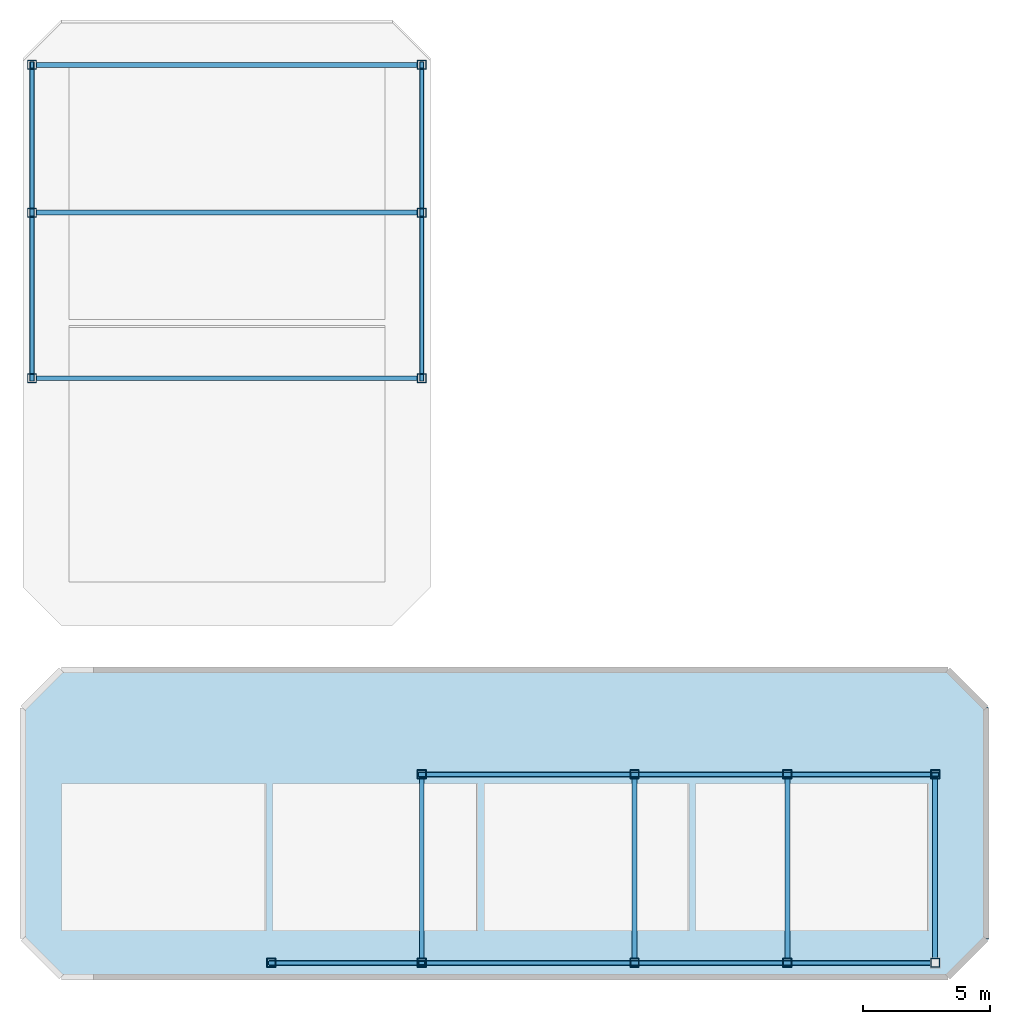
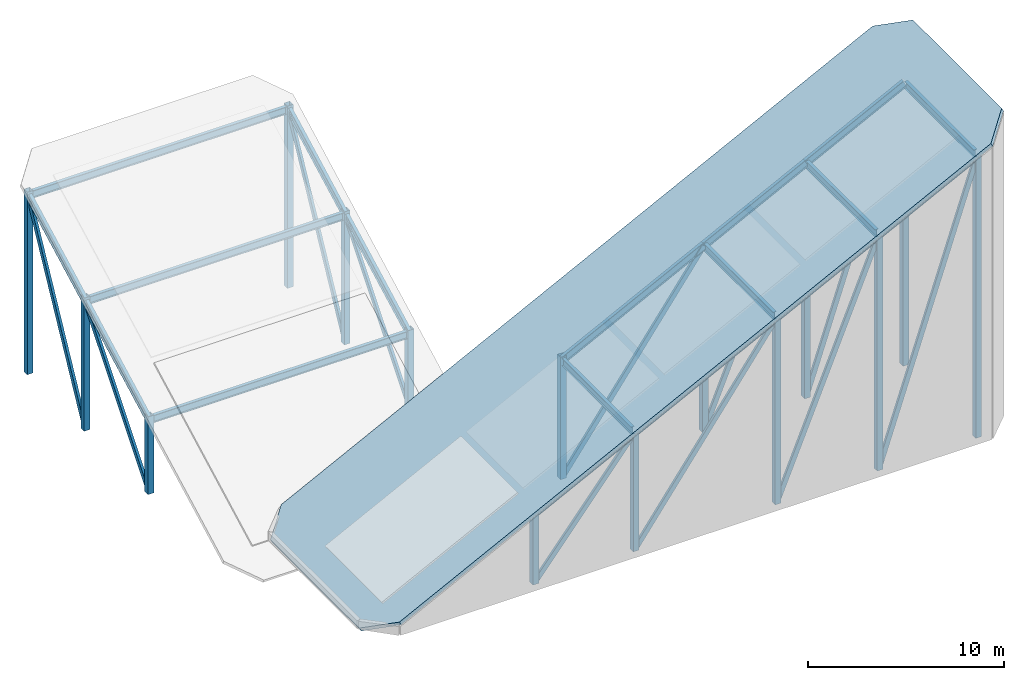
# One storey, part 1 of 3: 26 members, 18 beams, 1 slab.
"""IFC4 building model written with IfcOpenShell, lengths in metres."""

from ifc_helpers import new_model, si_unit, direction, frame, origin, origin_2d, place, context, subcontext, project, spatial, polyline, hollow_rectangle, i_section, outline, extrude, material, layer, layer_set, material_profile, profile_set, type_object, element, save


model = new_model("IFC4")

# Units and contexts
model_context = context("Model", 3, precision=1e-05, world=origin(), true_north=direction((0.0, 1.0)))
body_context = subcontext(model_context, "Body", "Model", "MODEL_VIEW")
ifc_project = project(units=[si_unit("LENGTHUNIT", "METRE"), si_unit("AREAUNIT", "SQUARE_METRE"), si_unit("VOLUMEUNIT", "CUBIC_METRE"), si_unit("PLANEANGLEUNIT", "RADIAN"), si_unit("MASSUNIT", "GRAM", prefix="KILO")], contexts=[model_context])

# Site, building, storey
site_placement = place(None, origin())
site = spatial("IfcSite", under=ifc_project, at=site_placement, CompositionType="ELEMENT")
building_placement = place(site_placement, origin())
building = spatial("IfcBuilding", under=site, at=building_placement, Name="Mawjaban Terraces University", CompositionType="ELEMENT")
storey_placement = place(building_placement, frame((0.0, 0.0, 326.699951171875)))
storey = spatial("IfcBuildingStorey", under=building, at=storey_placement, Name="ROOF", CompositionType="ELEMENT", Elevation=326.699951171875)

# Beams
ifc_material_1 = material(Name="Steel ASTM A572 Grade 50", Category="steel")
ifc_material_profile_1 = material_profile(ifc_material_1, i_section(OverallWidth=0.194091796875, OverallDepth=0.468994140625, WebThickness=0.011474609375, FlangeThickness=0.0205078125, at=origin_2d()), Name="W460X106")
ifc_profile_set_1 = profile_set([ifc_material_profile_1], Name="Steel ASTM A572 Grade 50")
beam_type = type_object("IfcBeamType", Name="Beam_CFR_W460X106", PredefinedType="BEAM", material=ifc_profile_set_1)
beam_1_placement = place(storey_placement, frame((31.75, 0.550048828125, 4.30712890625), z_axis=(0.892543080529, 0.0, 0.450962137435), x_axis=(0.0, 1.0, 0.0)))
element("IfcBeam", 1, at=beam_1_placement, inside=storey, type_object=beam_type, Name="East Crown Sloped Rafter 37.6-0.6", PredefinedType="BEAM", context=body_context, shape_type="SweptSolid", body=[
    extrude(i_section(OverallWidth=0.194091796875, OverallDepth=0.468994140625, WebThickness=0.011474609375, FlangeThickness=0.0205078125, at=origin_2d()), origin(), (0.0, 0.0, 1.0), 6.610107421875),
])
beam_2_placement = place(storey_placement, frame((37.64990234375, 0.550048828125, 7.2880859375), z_axis=(0.892540374375, 0.0, 0.450967493409), x_axis=(0.0, 1.0, 0.0)))
element("IfcBeam", 2, at=beam_2_placement, inside=storey, type_object=beam_type, Name="East Crown Sloped Rafter 46.0-0.6", PredefinedType="BEAM", context=body_context, shape_type="SweptSolid", body=[
    extrude(i_section(OverallWidth=0.194091796875, OverallDepth=0.468994140625, WebThickness=0.011474609375, FlangeThickness=0.0205078125, at=origin_2d()), origin(), (0.0, 0.0, 1.0), 9.35546875),
])
beam_3_placement = place(storey_placement, frame((46.0, 0.550048828125, 11.507080078125), z_axis=(0.892516104905, 0.0, 0.451015523552), x_axis=(0.0, 1.0, 0.0)))
element("IfcBeam", 3, at=beam_3_placement, inside=storey, type_object=beam_type, Name="East Crown Sloped Rafter 52.0-0.6", PredefinedType="BEAM", context=body_context, shape_type="SweptSolid", body=[
    extrude(i_section(OverallWidth=0.194091796875, OverallDepth=0.468994140625, WebThickness=0.011474609375, FlangeThickness=0.0205078125, at=origin_2d()), origin(), (0.0, 0.0, 1.0), 6.72265625),
])
beam_4_placement = place(storey_placement, frame((52.0, 0.550048828125, 14.5390625), z_axis=(0.892578624375, 0.0, 0.450891782259), x_axis=(0.0, 1.0, 0.0)))
element("IfcBeam", 4, at=beam_4_placement, inside=storey, type_object=beam_type, Name="East Crown Sloped Rafter 57.8-0.6", PredefinedType="BEAM", context=body_context, shape_type="SweptSolid", body=[
    extrude(i_section(OverallWidth=0.194091796875, OverallDepth=0.468994140625, WebThickness=0.011474609375, FlangeThickness=0.0205078125, at=origin_2d()), origin(), (0.0, 0.0, 1.0), 6.498046875),
])
beam_5_placement = place(storey_placement, frame((37.64990234375, 7.949951171875, 7.2880859375), z_axis=(0.892540374375, 0.0, 0.450967493409), x_axis=(0.0, 1.0, 0.0)))
element("IfcBeam", 5, at=beam_5_placement, inside=storey, type_object=beam_type, Name="East Crown Sloped Rafter 46.0-8.0", PredefinedType="BEAM", context=body_context, shape_type="SweptSolid", body=[
    extrude(i_section(OverallWidth=0.194091796875, OverallDepth=0.468994140625, WebThickness=0.011474609375, FlangeThickness=0.0205078125, at=origin_2d()), origin(), (0.0, 0.0, 1.0), 9.35546875),
])
beam_6_placement = place(storey_placement, frame((46.0, 7.949951171875, 11.507080078125), z_axis=(0.892516104905, 0.0, 0.451015523552), x_axis=(0.0, 1.0, 0.0)))
element("IfcBeam", 6, at=beam_6_placement, inside=storey, type_object=beam_type, Name="East Crown Sloped Rafter 52.0-8.0", PredefinedType="BEAM", context=body_context, shape_type="SweptSolid", body=[
    extrude(i_section(OverallWidth=0.194091796875, OverallDepth=0.468994140625, WebThickness=0.011474609375, FlangeThickness=0.0205078125, at=origin_2d()), origin(), (0.0, 0.0, 1.0), 6.72265625),
])
beam_7_placement = place(storey_placement, frame((52.0, 7.949951171875, 14.5390625), z_axis=(0.892578624375, 0.0, 0.450891782259), x_axis=(0.0, 1.0, 0.0)))
element("IfcBeam", 7, at=beam_7_placement, inside=storey, type_object=beam_type, Name="East Crown Sloped Rafter 57.8-8.0", PredefinedType="BEAM", context=body_context, shape_type="SweptSolid", body=[
    extrude(i_section(OverallWidth=0.194091796875, OverallDepth=0.468994140625, WebThickness=0.011474609375, FlangeThickness=0.0205078125, at=origin_2d()), origin(), (0.0, 0.0, 1.0), 6.498046875),
])
for number, where, z_axis, x_axis, name in (
    (8, (37.64990234375, 0.719970703125, 7.2880859375), (0.0, 1.0, 0.0), (-1.0, 0.0, 0.0), "East Crown Ring Cap Beam 37.6"),
    (9, (46.0, 0.719970703125, 11.507080078125), (0.0, 1.0, 0.0), (-1.0, 0.0, 0.0), "East Crown Ring Cap Beam 46.0"),
    (10, (52.0, 0.719970703125, 14.5390625), (0.0, 1.0, 0.0), (-1.0, 0.0, 0.0), "East Crown Ring Cap Beam 52.0"),
    (11, (57.800048828125, 0.719970703125, 17.468994140625), (0.0, 1.0, 0.0), (-1.0, 0.0, 0.0), "East Crown Ring Cap Beam 57.8"),
):
    element("IfcBeam", number, at=place(storey_placement, frame(where, z_axis=z_axis, x_axis=x_axis)), inside=storey, type_object=beam_type, Name=name, PredefinedType="BEAM", context=body_context, shape_type="SweptSolid", body=[
        extrude(i_section(OverallWidth=0.194091796875, OverallDepth=0.468994140625, WebThickness=0.011474609375, FlangeThickness=0.0205078125, at=origin_2d()), origin(), (0.0, 0.0, 1.0), 7.06005859375),
    ])
beam_8_placement = place(storey_placement, frame((22.35009765625, 23.5, -0.487060546875), z_axis=(0.0, 0.88389852611, 0.467678731119), x_axis=(-1.0, 0.0, 0.0)))
element("IfcBeam", 12, at=beam_8_placement, inside=storey, type_object=beam_type, Name="North Crown Sloped Rafter 22.4-30.0", PredefinedType="BEAM", context=body_context, shape_type="SweptSolid", body=[
    extrude(i_section(OverallWidth=0.194091796875, OverallDepth=0.468994140625, WebThickness=0.011474609375, FlangeThickness=0.0205078125, at=origin_2d()), origin(), (0.0, 0.0, 1.0), 7.353759765625),
])
beam_9_placement = place(storey_placement, frame((22.35009765625, 30.0, 2.9521484375), z_axis=(0.0, 0.883837683266, 0.467793704146), x_axis=(-1.0, 0.0, 0.0)))
element("IfcBeam", 13, at=beam_9_placement, inside=storey, type_object=beam_type, Name="North Crown Sloped Rafter 22.4-35.8", PredefinedType="BEAM", context=body_context, shape_type="SweptSolid", body=[
    extrude(i_section(OverallWidth=0.194091796875, OverallDepth=0.468994140625, WebThickness=0.011474609375, FlangeThickness=0.0205078125, at=origin_2d()), origin(), (0.0, 0.0, 1.0), 6.562255859375),
])
beam_10_placement = place(storey_placement, frame((37.64990234375, 23.5, -0.487060546875), z_axis=(0.0, 0.88389852611, 0.467678731119), x_axis=(-1.0, 0.0, 0.0)))
element("IfcBeam", 14, at=beam_10_placement, inside=storey, type_object=beam_type, Name="North Crown Sloped Rafter 37.6-30.0", PredefinedType="BEAM", context=body_context, shape_type="SweptSolid", body=[
    extrude(i_section(OverallWidth=0.194091796875, OverallDepth=0.468994140625, WebThickness=0.011474609375, FlangeThickness=0.0205078125, at=origin_2d()), origin(), (0.0, 0.0, 1.0), 7.353759765625),
])
beam_11_placement = place(storey_placement, frame((37.64990234375, 30.0, 2.9521484375), z_axis=(0.0, 0.883837683266, 0.467793704146), x_axis=(-1.0, 0.0, 0.0)))
element("IfcBeam", 15, at=beam_11_placement, inside=storey, type_object=beam_type, Name="North Crown Sloped Rafter 37.6-35.8", PredefinedType="BEAM", context=body_context, shape_type="SweptSolid", body=[
    extrude(i_section(OverallWidth=0.194091796875, OverallDepth=0.468994140625, WebThickness=0.011474609375, FlangeThickness=0.0205078125, at=origin_2d()), origin(), (0.0, 0.0, 1.0), 6.562255859375),
])
for number, where, z_axis, x_axis, name in (
    (16, (22.52001953125, 23.5, -0.487060546875), (1.0, 0.0, 0.0), (0.0, 1.0, 0.0), "North Crown Ring Cap Beam 23.5"),
    (17, (22.52001953125, 30.0, 2.9521484375), (1.0, 0.0, 0.0), (0.0, 1.0, 0.0), "North Crown Ring Cap Beam 30.0"),
    (18, (22.52001953125, 35.800048828125, 6.02197265625), (1.0, 0.0, 0.0), (0.0, 1.0, 0.0), "North Crown Ring Cap Beam 35.8"),
):
    element("IfcBeam", number, at=place(storey_placement, frame(where, z_axis=z_axis, x_axis=x_axis)), inside=storey, type_object=beam_type, Name=name, PredefinedType="BEAM", context=body_context, shape_type="SweptSolid", body=[
        extrude(i_section(OverallWidth=0.194091796875, OverallDepth=0.468994140625, WebThickness=0.011474609375, FlangeThickness=0.0205078125, at=origin_2d()), origin(), (0.0, 0.0, 1.0), 14.9599609375),
    ])

# Members
ifc_material_2 = material(Name="Steel EN 10210-1 S355J2H", Category="steel")
ifc_material_profile_2 = material_profile(ifc_material_2, hollow_rectangle(XDim=0.14990234375, YDim=0.300048828125, WallThickness=0.012451171875, at=origin_2d()), Name="RHS300X150X12.5")
ifc_profile_set_2 = profile_set([ifc_material_profile_2], Name="Steel EN 10210-1 S355J2H")
member_type_1 = type_object("IfcMemberType", Name="Mem_BRACE_RHS300X150X12.5", PredefinedType="BRACE", material=ifc_profile_set_2)
member_1_placement = place(storey_placement, frame((31.75, 0.550048828125, 0.0), z_axis=(0.629199726661, 0.0, 0.777243658044), x_axis=(0.0, 1.0, 0.0)))
element("IfcMember", 19, at=member_1_placement, inside=storey, type_object=member_type_1, Name="East Crown Frame Brace 37.6-0.6", PredefinedType="BRACE", context=body_context, shape_type="SweptSolid", body=[
    extrude(hollow_rectangle(XDim=0.14990234375, YDim=0.300048828125, WallThickness=0.012451171875, at=origin_2d()), origin(), (0.0, 0.0, 1.0), 9.376953125),
])
member_2_placement = place(storey_placement, frame((37.64990234375, 0.550048828125, 0.0), z_axis=(0.587311658936, 0.0, 0.809360868388), x_axis=(0.0, 1.0, 0.0)))
element("IfcMember", 20, at=member_2_placement, inside=storey, type_object=member_type_1, Name="East Crown Frame Brace 46.0-0.6", PredefinedType="BRACE", context=body_context, shape_type="SweptSolid", body=[
    extrude(hollow_rectangle(XDim=0.14990234375, YDim=0.300048828125, WallThickness=0.012451171875, at=origin_2d()), origin(), (0.0, 0.0, 1.0), 14.217529296875),
])
member_3_placement = place(storey_placement, frame((46.0, 0.550048828125, 0.0), z_axis=(0.381474181311, 0.0, 0.924379494035), x_axis=(0.0, 1.0, 0.0)))
element("IfcMember", 21, at=member_3_placement, inside=storey, type_object=member_type_1, Name="East Crown Frame Brace 52.0-0.6", PredefinedType="BRACE", context=body_context, shape_type="SweptSolid", body=[
    extrude(hollow_rectangle(XDim=0.14990234375, YDim=0.300048828125, WallThickness=0.012451171875, at=origin_2d()), origin(), (0.0, 0.0, 1.0), 15.728515625),
])
member_4_placement = place(storey_placement, frame((52.0, 0.550048828125, 0.0), z_axis=(0.315105436802, 0.0, 0.949056670435), x_axis=(0.0, 1.0, 0.0)))
element("IfcMember", 22, at=member_4_placement, inside=storey, type_object=member_type_1, Name="East Crown Frame Brace 57.8-0.6", PredefinedType="BRACE", context=body_context, shape_type="SweptSolid", body=[
    extrude(hollow_rectangle(XDim=0.14990234375, YDim=0.300048828125, WallThickness=0.012451171875, at=origin_2d()), origin(), (0.0, 0.0, 1.0), 18.40673828125),
])
member_5_placement = place(storey_placement, frame((37.64990234375, 7.949951171875, 0.0), z_axis=(0.587311658936, 0.0, 0.809360868388), x_axis=(0.0, 1.0, 0.0)))
element("IfcMember", 23, at=member_5_placement, inside=storey, type_object=member_type_1, Name="East Crown Frame Brace 46.0-8.0", PredefinedType="BRACE", context=body_context, shape_type="SweptSolid", body=[
    extrude(hollow_rectangle(XDim=0.14990234375, YDim=0.300048828125, WallThickness=0.012451171875, at=origin_2d()), origin(), (0.0, 0.0, 1.0), 14.217529296875),
])
member_6_placement = place(storey_placement, frame((46.0, 7.949951171875, 0.0), z_axis=(0.381474181311, 0.0, 0.924379494035), x_axis=(0.0, 1.0, 0.0)))
element("IfcMember", 24, at=member_6_placement, inside=storey, type_object=member_type_1, Name="East Crown Frame Brace 52.0-8.0", PredefinedType="BRACE", context=body_context, shape_type="SweptSolid", body=[
    extrude(hollow_rectangle(XDim=0.14990234375, YDim=0.300048828125, WallThickness=0.012451171875, at=origin_2d()), origin(), (0.0, 0.0, 1.0), 15.728515625),
])
member_7_placement = place(storey_placement, frame((52.0, 7.949951171875, 0.0), z_axis=(0.315105436802, 0.0, 0.949056670435), x_axis=(0.0, 1.0, 0.0)))
element("IfcMember", 25, at=member_7_placement, inside=storey, type_object=member_type_1, Name="East Crown Frame Brace 57.8-8.0", PredefinedType="BRACE", context=body_context, shape_type="SweptSolid", body=[
    extrude(hollow_rectangle(XDim=0.14990234375, YDim=0.300048828125, WallThickness=0.012451171875, at=origin_2d()), origin(), (0.0, 0.0, 1.0), 18.40673828125),
])
member_8_placement = place(storey_placement, frame((22.35009765625, 23.5, -5.0), z_axis=(0.0, 0.632870097303, 0.774257993139), x_axis=(-1.0, 0.0, 0.0)))
element("IfcMember", 26, at=member_8_placement, inside=storey, type_object=member_type_1, Name="North Crown Frame Brace 22.4-30.0", PredefinedType="BRACE", context=body_context, shape_type="SweptSolid", body=[
    extrude(hollow_rectangle(XDim=0.14990234375, YDim=0.300048828125, WallThickness=0.012451171875, at=origin_2d()), origin(), (0.0, 0.0, 1.0), 10.270751953125),
])
member_9_placement = place(storey_placement, frame((22.35009765625, 30.0, -5.0), z_axis=(0.0, 0.465684224099, 0.884950961029), x_axis=(-1.0, 0.0, 0.0)))
element("IfcMember", 27, at=member_9_placement, inside=storey, type_object=member_type_1, Name="North Crown Frame Brace 22.4-35.8", PredefinedType="BRACE", context=body_context, shape_type="SweptSolid", body=[
    extrude(hollow_rectangle(XDim=0.14990234375, YDim=0.300048828125, WallThickness=0.012451171875, at=origin_2d()), origin(), (0.0, 0.0, 1.0), 12.454833984375),
])
member_10_placement = place(storey_placement, frame((37.64990234375, 23.5, -5.0), z_axis=(0.0, 0.632870097303, 0.774257993139), x_axis=(-1.0, 0.0, 0.0)))
element("IfcMember", 28, at=member_10_placement, inside=storey, type_object=member_type_1, Name="North Crown Frame Brace 37.6-30.0", PredefinedType="BRACE", context=body_context, shape_type="SweptSolid", body=[
    extrude(hollow_rectangle(XDim=0.14990234375, YDim=0.300048828125, WallThickness=0.012451171875, at=origin_2d()), origin(), (0.0, 0.0, 1.0), 10.270751953125),
])
member_11_placement = place(storey_placement, frame((37.64990234375, 30.0, -5.0), z_axis=(0.0, 0.465684224099, 0.884950961029), x_axis=(-1.0, 0.0, 0.0)))
element("IfcMember", 29, at=member_11_placement, inside=storey, type_object=member_type_1, Name="North Crown Frame Brace 37.6-35.8", PredefinedType="BRACE", context=body_context, shape_type="SweptSolid", body=[
    extrude(hollow_rectangle(XDim=0.14990234375, YDim=0.300048828125, WallThickness=0.012451171875, at=origin_2d()), origin(), (0.0, 0.0, 1.0), 12.454833984375),
])
ifc_material_profile_3 = material_profile(ifc_material_2, hollow_rectangle(XDim=0.35009765625, YDim=0.35009765625, WallThickness=0.01611328125, at=origin_2d()), Name="SHS350X350X16")
ifc_profile_set_3 = profile_set([ifc_material_profile_3], Name="Steel EN 10210-1 S355J2H")
member_type_2 = type_object("IfcMemberType", Name="Mem_CROWN FRAME_SHS350X350X16", PredefinedType="USERDEFINED", material=ifc_profile_set_3)
member_12_placement = place(storey_placement, frame((31.75, 0.550048828125, 0.0), z_axis=(0.0, 0.0, 1.0), x_axis=(1.0, 0.0, 0.0)))
element("IfcMember", 30, at=member_12_placement, inside=storey, type_object=member_type_2, Name="East Crown Frame Post 31.8-0.6", ObjectType="CROWN FRAME", PredefinedType="USERDEFINED", context=body_context, shape_type="SweptSolid", body=[
    extrude(hollow_rectangle(XDim=0.35009765625, YDim=0.35009765625, WallThickness=0.01611328125, at=origin_2d()), origin(), (0.0, 0.0, 1.0), 4.626953125),
])
member_13_placement = place(storey_placement, frame((37.64990234375, 0.550048828125, 0.0), z_axis=(0.0, 0.0, 1.0), x_axis=(1.0, 0.0, 0.0)))
element("IfcMember", 31, at=member_13_placement, inside=storey, type_object=member_type_2, Name="East Crown Frame Post 37.6-0.6", ObjectType="CROWN FRAME", PredefinedType="USERDEFINED", context=body_context, shape_type="SweptSolid", body=[
    extrude(hollow_rectangle(XDim=0.35009765625, YDim=0.35009765625, WallThickness=0.01611328125, at=origin_2d()), origin(), (0.0, 0.0, 1.0), 7.608154296875),
])
member_14_placement = place(storey_placement, frame((46.0, 0.550048828125, 0.0), z_axis=(0.0, 0.0, 1.0), x_axis=(1.0, 0.0, 0.0)))
element("IfcMember", 32, at=member_14_placement, inside=storey, type_object=member_type_2, Name="East Crown Frame Post 46.0-0.6", ObjectType="CROWN FRAME", PredefinedType="USERDEFINED", context=body_context, shape_type="SweptSolid", body=[
    extrude(hollow_rectangle(XDim=0.35009765625, YDim=0.35009765625, WallThickness=0.01611328125, at=origin_2d()), origin(), (0.0, 0.0, 1.0), 11.8271484375),
])
member_15_placement = place(storey_placement, frame((52.0, 0.550048828125, 0.0), z_axis=(0.0, 0.0, 1.0), x_axis=(1.0, 0.0, 0.0)))
element("IfcMember", 33, at=member_15_placement, inside=storey, type_object=member_type_2, Name="East Crown Frame Post 52.0-0.6", ObjectType="CROWN FRAME", PredefinedType="USERDEFINED", context=body_context, shape_type="SweptSolid", body=[
    extrude(hollow_rectangle(XDim=0.35009765625, YDim=0.35009765625, WallThickness=0.01611328125, at=origin_2d()), origin(), (0.0, 0.0, 1.0), 14.859130859375),
])
member_16_placement = place(storey_placement, frame((57.800048828125, 0.550048828125, 0.0), z_axis=(0.0, 0.0, 1.0), x_axis=(1.0, 0.0, 0.0)))
element("IfcMember", 34, at=member_16_placement, inside=storey, type_object=member_type_2, Name="East Crown Frame Post 57.8-0.6", ObjectType="CROWN FRAME", PredefinedType="USERDEFINED", context=body_context, shape_type="SweptSolid", body=[
    extrude(hollow_rectangle(XDim=0.35009765625, YDim=0.35009765625, WallThickness=0.01611328125, at=origin_2d()), origin(), (0.0, 0.0, 1.0), 17.7890625),
])
member_17_placement = place(storey_placement, frame((37.64990234375, 7.949951171875, 0.0), z_axis=(0.0, 0.0, 1.0), x_axis=(1.0, 0.0, 0.0)))
element("IfcMember", 35, at=member_17_placement, inside=storey, type_object=member_type_2, Name="East Crown Frame Post 37.6-8.0", ObjectType="CROWN FRAME", PredefinedType="USERDEFINED", context=body_context, shape_type="SweptSolid", body=[
    extrude(hollow_rectangle(XDim=0.35009765625, YDim=0.35009765625, WallThickness=0.01611328125, at=origin_2d()), origin(), (0.0, 0.0, 1.0), 7.608154296875),
])
member_18_placement = place(storey_placement, frame((46.0, 7.949951171875, 0.0), z_axis=(0.0, 0.0, 1.0), x_axis=(1.0, 0.0, 0.0)))
element("IfcMember", 36, at=member_18_placement, inside=storey, type_object=member_type_2, Name="East Crown Frame Post 46.0-8.0", ObjectType="CROWN FRAME", PredefinedType="USERDEFINED", context=body_context, shape_type="SweptSolid", body=[
    extrude(hollow_rectangle(XDim=0.35009765625, YDim=0.35009765625, WallThickness=0.01611328125, at=origin_2d()), origin(), (0.0, 0.0, 1.0), 11.8271484375),
])
member_19_placement = place(storey_placement, frame((52.0, 7.949951171875, 0.0), z_axis=(0.0, 0.0, 1.0), x_axis=(1.0, 0.0, 0.0)))
element("IfcMember", 37, at=member_19_placement, inside=storey, type_object=member_type_2, Name="East Crown Frame Post 52.0-8.0", ObjectType="CROWN FRAME", PredefinedType="USERDEFINED", context=body_context, shape_type="SweptSolid", body=[
    extrude(hollow_rectangle(XDim=0.35009765625, YDim=0.35009765625, WallThickness=0.01611328125, at=origin_2d()), origin(), (0.0, 0.0, 1.0), 14.859130859375),
])
member_20_placement = place(storey_placement, frame((57.800048828125, 7.949951171875, 0.0), z_axis=(0.0, 0.0, 1.0), x_axis=(1.0, 0.0, 0.0)))
element("IfcMember", 38, at=member_20_placement, inside=storey, type_object=member_type_2, Name="East Crown Frame Post 57.8-8.0", ObjectType="CROWN FRAME", PredefinedType="USERDEFINED", context=body_context, shape_type="SweptSolid", body=[
    extrude(hollow_rectangle(XDim=0.35009765625, YDim=0.35009765625, WallThickness=0.01611328125, at=origin_2d()), origin(), (0.0, 0.0, 1.0), 17.7890625),
])
member_21_placement = place(storey_placement, frame((22.35009765625, 23.5, -5.0), z_axis=(0.0, 0.0, 1.0), x_axis=(1.0, 0.0, 0.0)))
element("IfcMember", 39, at=member_21_placement, inside=storey, type_object=member_type_2, Name="North Crown Frame Post 22.4-23.5", ObjectType="CROWN FRAME", PredefinedType="USERDEFINED", context=body_context, shape_type="SweptSolid", body=[
    extrude(hollow_rectangle(XDim=0.35009765625, YDim=0.35009765625, WallThickness=0.01611328125, at=origin_2d()), origin(), (0.0, 0.0, 1.0), 4.8330078125),
])
member_22_placement = place(storey_placement, frame((22.35009765625, 30.0, -5.0), z_axis=(0.0, 0.0, 1.0), x_axis=(1.0, 0.0, 0.0)))
element("IfcMember", 40, at=member_22_placement, inside=storey, type_object=member_type_2, Name="North Crown Frame Post 22.4-30.0", ObjectType="CROWN FRAME", PredefinedType="USERDEFINED", context=body_context, shape_type="SweptSolid", body=[
    extrude(hollow_rectangle(XDim=0.35009765625, YDim=0.35009765625, WallThickness=0.01611328125, at=origin_2d()), origin(), (0.0, 0.0, 1.0), 8.27197265625),
])
member_23_placement = place(storey_placement, frame((22.35009765625, 35.800048828125, -5.0), z_axis=(0.0, 0.0, 1.0), x_axis=(1.0, 0.0, 0.0)))
element("IfcMember", 41, at=member_23_placement, inside=storey, type_object=member_type_2, Name="North Crown Frame Post 22.4-35.8", ObjectType="CROWN FRAME", PredefinedType="USERDEFINED", context=body_context, shape_type="SweptSolid", body=[
    extrude(hollow_rectangle(XDim=0.35009765625, YDim=0.35009765625, WallThickness=0.01611328125, at=origin_2d()), origin(), (0.0, 0.0, 1.0), 11.342041015625),
])
member_24_placement = place(storey_placement, frame((37.64990234375, 23.5, -5.0), z_axis=(0.0, 0.0, 1.0), x_axis=(1.0, 0.0, 0.0)))
element("IfcMember", 42, at=member_24_placement, inside=storey, type_object=member_type_2, Name="North Crown Frame Post 37.6-23.5", ObjectType="CROWN FRAME", PredefinedType="USERDEFINED", context=body_context, shape_type="SweptSolid", body=[
    extrude(hollow_rectangle(XDim=0.35009765625, YDim=0.35009765625, WallThickness=0.01611328125, at=origin_2d()), origin(), (0.0, 0.0, 1.0), 4.8330078125),
])
member_25_placement = place(storey_placement, frame((37.64990234375, 30.0, -5.0), z_axis=(0.0, 0.0, 1.0), x_axis=(1.0, 0.0, 0.0)))
element("IfcMember", 43, at=member_25_placement, inside=storey, type_object=member_type_2, Name="North Crown Frame Post 37.6-30.0", ObjectType="CROWN FRAME", PredefinedType="USERDEFINED", context=body_context, shape_type="SweptSolid", body=[
    extrude(hollow_rectangle(XDim=0.35009765625, YDim=0.35009765625, WallThickness=0.01611328125, at=origin_2d()), origin(), (0.0, 0.0, 1.0), 8.27197265625),
])
member_26_placement = place(storey_placement, frame((37.64990234375, 35.800048828125, -5.0), z_axis=(0.0, 0.0, 1.0), x_axis=(1.0, 0.0, 0.0)))
element("IfcMember", 44, at=member_26_placement, inside=storey, type_object=member_type_2, Name="North Crown Frame Post 37.6-35.8", ObjectType="CROWN FRAME", PredefinedType="USERDEFINED", context=body_context, shape_type="SweptSolid", body=[
    extrude(hollow_rectangle(XDim=0.35009765625, YDim=0.35009765625, WallThickness=0.01611328125, at=origin_2d()), origin(), (0.0, 0.0, 1.0), 11.342041015625),
])

# Slab
ifc_material_3 = material(Name="Concrete C40/50", Category="concrete")
ifc_layer = layer(ifc_material_3, 0.239990234375)
ifc_layer_set = layer_set([ifc_layer], Name="Concrete C40/50")
slab_type = type_object("IfcSlabType", Name="CrownSlopedRoof_240_Ext", PredefinedType="ROOF", material=ifc_layer_set)
slab_placement = place(storey_placement, frame((23.5, 0.0, 0.758056640625), z_axis=(-0.450988330346, 0.0, 0.892529845939), x_axis=(0.892529845939, 0.0, 0.450988330346)))
element("IfcSlab", 45, at=slab_placement, inside=storey, type_object=slab_type, Name="East Peak Sloped Crest Roof Slab", PredefinedType="ROOF", context=body_context, shape_type="SweptSolid", body=[
    extrude(outline(polyline([(0.0, 0.0), (38.99025397334421, 0.0), (40.67092344091574, 1.5), (40.67092344091574, 10.550048828125), (38.99025397334421, 12.050048828125), (0.0, 12.050048828125), (-1.6806694675715255, 10.550048828125), (-1.6806694675715255, 1.5), (0.0, 0.0)])), origin(), (0.0, 0.0, -1.0), 0.239990234375),
])

save(model, "model.ifc")
